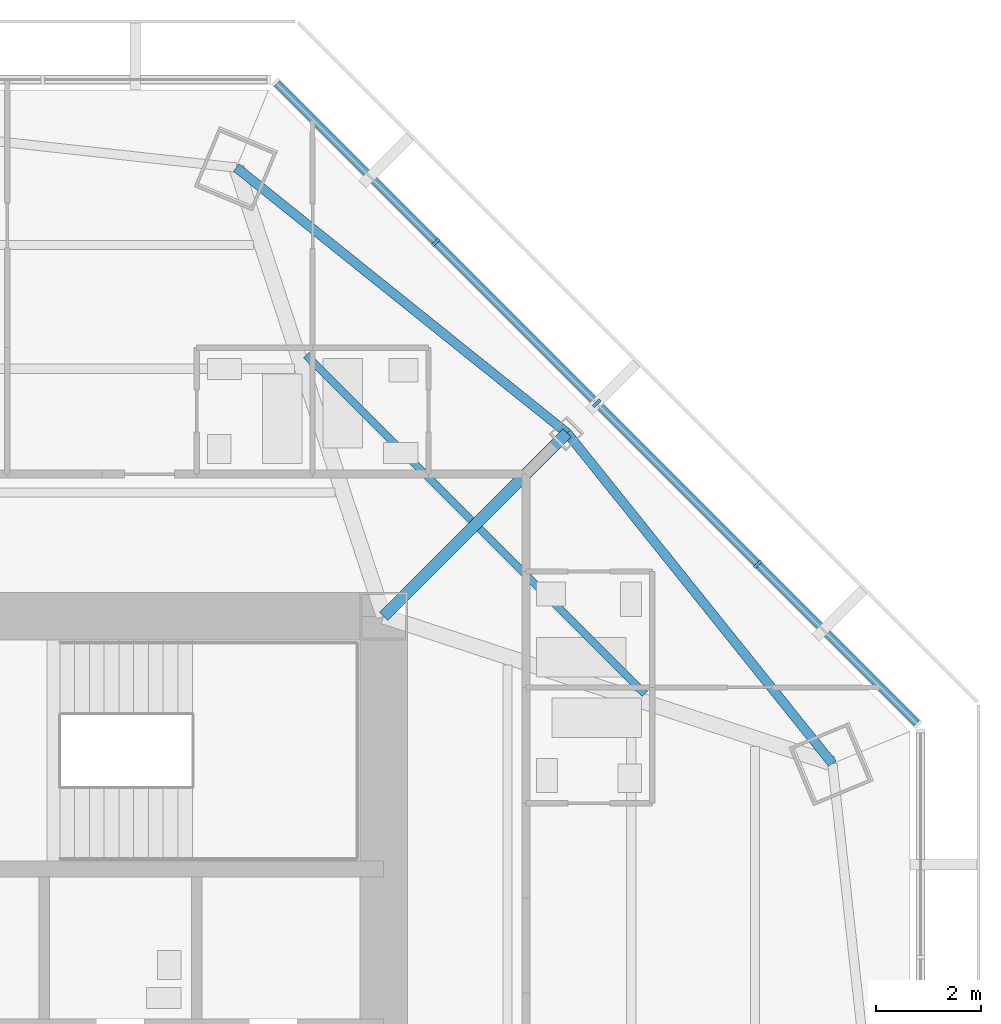
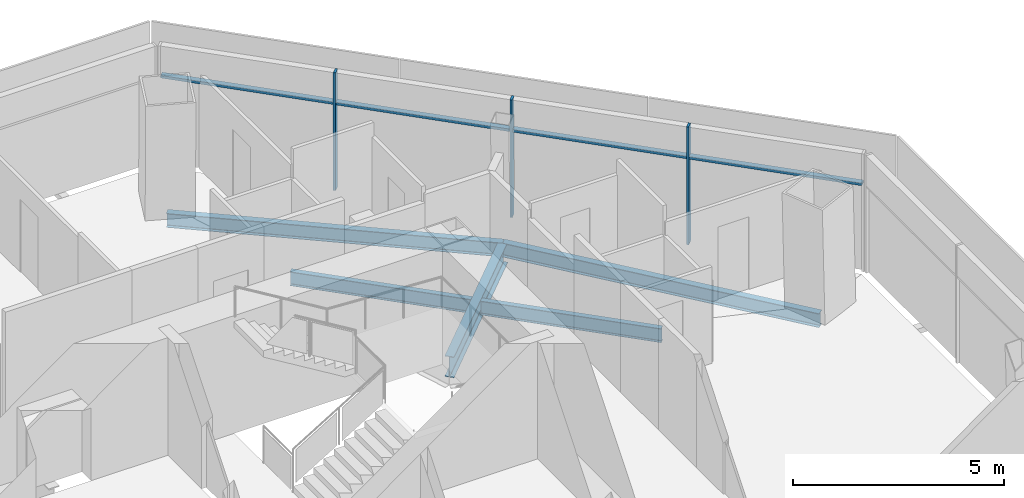
# One storey, part 6 of 15: 7 members, 5 beams, 1 element without a shape of its own.
"""IFC4 building model written with IfcOpenShell, lengths in metres."""

from ifc_helpers import new_model, si_unit, direction, frame, origin, origin_2d, place, context, subcontext, project, spatial, rectangle, i_section, extrude, source, transform, mapped, material, material_profile, profile_set, type_object, type_shapes, element, aggregate, save


model = new_model("IFC4")

# Units and contexts
model_context = context("Model", 3, precision=1e-05, world=origin(), true_north=direction((0.0, 1.0)))
body_context = subcontext(model_context, "Body", "Model", "MODEL_VIEW")
ifc_project = project(units=[si_unit("LENGTHUNIT", "METRE"), si_unit("AREAUNIT", "SQUARE_METRE"), si_unit("VOLUMEUNIT", "CUBIC_METRE"), si_unit("PLANEANGLEUNIT", "RADIAN"), si_unit("MASSUNIT", "GRAM", prefix="KILO")], contexts=[model_context])

# Site, building, storey
site_placement = place(None, origin())
site = spatial("IfcSite", under=ifc_project, at=site_placement, CompositionType="ELEMENT")
building_placement = place(site_placement, origin())
building = spatial("IfcBuilding", under=site, at=building_placement, Name="Mashrafa Tower", CompositionType="ELEMENT")
storey_placement = place(building_placement, frame((0.0, 0.0, 248.199951171875)))
storey = spatial("IfcBuildingStorey", under=building, at=storey_placement, Name="L59", CompositionType="ELEMENT", Elevation=248.199951171875)

# Beams
ifc_material_1 = material(Name="Steel ASTM A992", Category="steel")
ifc_material_profile_1 = material_profile(ifc_material_1, i_section(OverallWidth=0.140380859375, OverallDepth=0.40380859375, WebThickness=0.007080078125, FlangeThickness=0.01123046875, FilletRadius=0.01025390625, at=origin_2d()), Name="W16X31")
ifc_profile_set_1 = profile_set([ifc_material_profile_1], Name="Steel ASTM A992")
beam_type_1 = type_object("IfcBeamType", Name="Beam W16X31", PredefinedType="BEAM", material=ifc_profile_set_1)
for number, where, z_axis, x_axis, name in (
    (1, (9.326904296875, 15.756103515625, -0.40185546875), (0.707106781187, -0.707106781187, 0.0), (0.707106781187, 0.707106781187, 0.0), "Floor beam L59 021"),
    (2, (12.6220703125, 12.4609375, -0.40185546875), (0.707106781187, -0.707106781187, 0.0), (0.707106781187, 0.707106781187, 0.0), "Floor beam L59 025"),
):
    element("IfcBeam", number, at=place(storey_placement, frame(where, z_axis=z_axis, x_axis=x_axis)), inside=storey, type_object=beam_type_1, Name=name, PredefinedType="BEAM", context=body_context, shape_type="SweptSolid", body=[
        extrude(i_section(OverallWidth=0.140380859375, OverallDepth=0.40380859375, WebThickness=0.007080078125, FlangeThickness=0.01123046875, FilletRadius=0.01025390625, at=origin_2d()), origin(), (0.0, 0.0, 1.0), 4.43212890625),
    ])
ifc_material_2 = material(Name="Steel ASTM A992", Category="steel")
ifc_material_profile_2 = material_profile(ifc_material_2, i_section(OverallWidth=0.177734375, OverallDepth=0.406494140625, WebThickness=0.0078125, FlangeThickness=0.012939453125, FilletRadius=0.01025390625, at=origin_2d()), Name="W16X40")
ifc_profile_set_2 = profile_set([ifc_material_profile_2], Name="Steel ASTM A992")
beam_type_2 = type_object("IfcBeamType", Name="Beam W16X40", PredefinedType="BEAM", material=ifc_profile_set_2)
for number, where, z_axis, x_axis, name in (
    (3, (14.282958984375, 14.282958984375, -0.403076171875), (-0.780030862781, 0.625741043171, 0.0), (-0.625741043171, -0.780030862781, 0.0), "Spandrel beam L59 061"),
    (4, (19.32080078125, 8.0029296875, -0.403076171875), (-0.625741043171, 0.780030862781, 0.0), (-0.780030862781, -0.625741043171, 0.0), "Spandrel beam L59 063"),
):
    element("IfcBeam", number, at=place(storey_placement, frame(where, z_axis=z_axis, x_axis=x_axis)), inside=storey, type_object=beam_type_2, Name=name, PredefinedType="BEAM", context=body_context, shape_type="SweptSolid", body=[
        extrude(i_section(OverallWidth=0.177734375, OverallDepth=0.406494140625, WebThickness=0.0078125, FlangeThickness=0.012939453125, FilletRadius=0.01025390625, at=origin_2d()), origin(), (0.0, 0.0, 1.0), 8.051025390625),
    ])
ifc_material_3 = material(Name="Steel ASTM A992", Category="steel")
ifc_material_profile_3 = material_profile(ifc_material_3, i_section(OverallWidth=0.227783203125, OverallDepth=0.60205078125, WebThickness=0.010498046875, FlangeThickness=0.014892578125, FilletRadius=0.012939453125, at=origin_2d()), Name="W24X68")
ifc_profile_set_3 = profile_set([ifc_material_profile_3], Name="Steel ASTM A992")
beam_type_3 = type_object("IfcBeamType", Name="Beam W24X68", PredefinedType="BEAM", material=ifc_profile_set_3)
beam_placement = place(storey_placement, frame((10.800048828125, 10.800048828125, -0.5009765625), z_axis=(0.707106781187, 0.707106781187, 0.0), x_axis=(-0.707106781187, 0.707106781187, 0.0)))
element("IfcBeam", 5, at=beam_placement, inside=storey, type_object=beam_type_3, Name="Radial girder L59 047", PredefinedType="BEAM", context=body_context, shape_type="SweptSolid", body=[
    extrude(i_section(OverallWidth=0.227783203125, OverallDepth=0.60205078125, WebThickness=0.010498046875, FlangeThickness=0.014892578125, FilletRadius=0.012939453125, at=origin_2d()), origin(), (0.0, 0.0, 1.0), 4.925537109375),
])

# Curtain wall, members
ifc_material_4 = material(Name="Unitised aluminium curtain wall", Category="aluminium")
curtain_wall_type = type_object("IfcCurtainWallType", Name="Apartment curtain wall, zone 3 CW-C 180 deep", PredefinedType="NOTDEFINED", material=ifc_material_4)
curtain_wall_placement = place(storey_placement, origin())
curtain_wall = element("IfcCurtainWall", 6, at=curtain_wall_placement, inside=storey, type_object=curtain_wall_type, Name="Apartment curtain wall, zone 3 L59 north-east", PredefinedType="NOTDEFINED")
ifc_material_5 = material(Name="Extruded aluminium mullion", Category="aluminium")
ifc_material_profile_4 = material_profile(ifc_material_5, rectangle(XDim=0.179931640625, YDim=0.06005859375, at=origin_2d()), Name="Mullion 60x180")
ifc_profile_set_4 = profile_set([ifc_material_profile_4], Name="Extruded aluminium mullion")
member_type_1 = type_object("IfcMemberType", Name="Mullion CW-C 60 x 180", PredefinedType="MULLION", material=ifc_profile_set_4)
shared_shape_1 = source(origin(), body_context, "Body", "SweptSolid", [
    extrude(rectangle(XDim=0.179931640625, YDim=0.06005859375, at=origin_2d()), origin(), (0.0, 0.0, 1.0), 3.400146484375),
])
type_shapes(member_type_1, [shared_shape_1])
member_1_placement = place(storey_placement, frame((17.90234375, 11.786865234375, 0.0), z_axis=(0.0, 0.0, 1.0), x_axis=(-0.707106781187, -0.707106781187, 0.0)))
member_1 = element("IfcMember", 7, at=member_1_placement, type_object=member_type_1, Name="CW-C mullion 2", PredefinedType="MULLION", context=body_context, shape_type="MappedRepresentation", body=[
    mapped(shared_shape_1, transform((0.0, 0.0, 0.0))),
])
member_2_placement = place(storey_placement, frame((14.8447265625, 14.8447265625, 0.0), z_axis=(0.0, 0.0, 1.0), x_axis=(-0.707106781187, -0.707106781187, 0.0)))
member_2 = element("IfcMember", 8, at=member_2_placement, type_object=member_type_1, Name="CW-C mullion 3", PredefinedType="MULLION", context=body_context, shape_type="MappedRepresentation", body=[
    mapped(shared_shape_1, transform((0.0, 0.0, 0.0))),
])
member_3_placement = place(storey_placement, frame((11.786865234375, 17.90234375, 0.0), z_axis=(0.0, 0.0, 1.0), x_axis=(-0.707106781187, -0.707106781187, 0.0)))
member_3 = element("IfcMember", 9, at=member_3_placement, type_object=member_type_1, Name="CW-C mullion 4", PredefinedType="MULLION", context=body_context, shape_type="MappedRepresentation", body=[
    mapped(shared_shape_1, transform((0.0, 0.0, 0.0))),
])
ifc_material_6 = material(Name="Extruded aluminium transom", Category="aluminium")
ifc_material_profile_5 = material_profile(ifc_material_6, rectangle(XDim=0.14404296875, YDim=0.074951171875, at=origin_2d()), Name="Transom 75x144")
ifc_profile_set_5 = profile_set([ifc_material_profile_5], Name="Extruded aluminium transom")
member_type_2 = type_object("IfcMemberType", Name="Transom CW-C 75 x 144", PredefinedType="MULLION", material=ifc_profile_set_5)
shared_shape_2 = source(origin(), body_context, "Body", "SweptSolid", [
    extrude(rectangle(XDim=0.14404296875, YDim=0.074951171875, at=origin_2d()), origin(), (0.0, 0.0, 1.0), 4.26416015625),
])
member_4_placement = place(storey_placement, frame((17.881103515625, 11.80810546875, 2.5), z_axis=(-0.707078153961, 0.707135407253, 0.0), x_axis=(-0.707135407253, -0.707078153961, 0.0)))
member_4 = element("IfcMember", 10, at=member_4_placement, type_object=member_type_2, Name="CW-C transom 2", PredefinedType="MULLION", context=body_context, shape_type="MappedRepresentation", body=[
    mapped(shared_shape_2, transform((0.0, 0.0, 0.0))),
])
member_5_placement = place(storey_placement, frame((14.823486328125, 14.865966796875, 2.5), z_axis=(-0.707135407253, 0.707078153961, 0.0), x_axis=(-0.707078153961, -0.707135407253, 0.0)))
member_5 = element("IfcMember", 11, at=member_5_placement, type_object=member_type_2, Name="CW-C transom 3", PredefinedType="MULLION", context=body_context, shape_type="MappedRepresentation", body=[
    mapped(shared_shape_2, transform((0.0, 0.0, 0.0))),
])
shared_shape_3 = source(origin(), body_context, "Body", "SweptSolid", [
    extrude(rectangle(XDim=0.14404296875, YDim=0.074951171875, at=origin_2d()), origin(), (0.0, 0.0, 1.0), 4.234130859375),
])
type_shapes(member_type_2, [shared_shape_2, shared_shape_3])
member_6_placement = place(storey_placement, frame((20.917724609375, 8.771728515625, 2.5), z_axis=(-0.707135610329, 0.707077950869, 0.0), x_axis=(-0.707077950869, -0.707135610329, 0.0)))
member_6 = element("IfcMember", 12, at=member_6_placement, type_object=member_type_2, Name="CW-C transom 1", PredefinedType="MULLION", context=body_context, shape_type="MappedRepresentation", body=[
    mapped(shared_shape_3, transform((0.0, 0.0, 0.0))),
])
member_7_placement = place(storey_placement, frame((11.765625, 17.923583984375, 2.5), z_axis=(-0.707077950869, 0.707135610329, 0.0), x_axis=(-0.707135610329, -0.707077950869, 0.0)))
member_7 = element("IfcMember", 13, at=member_7_placement, type_object=member_type_2, Name="CW-C transom 4", PredefinedType="MULLION", context=body_context, shape_type="MappedRepresentation", body=[
    mapped(shared_shape_3, transform((0.0, 0.0, 0.0))),
])
aggregate(curtain_wall, [member_1, member_2, member_3, member_6, member_4, member_5, member_7])

save(model, "model.ifc")
